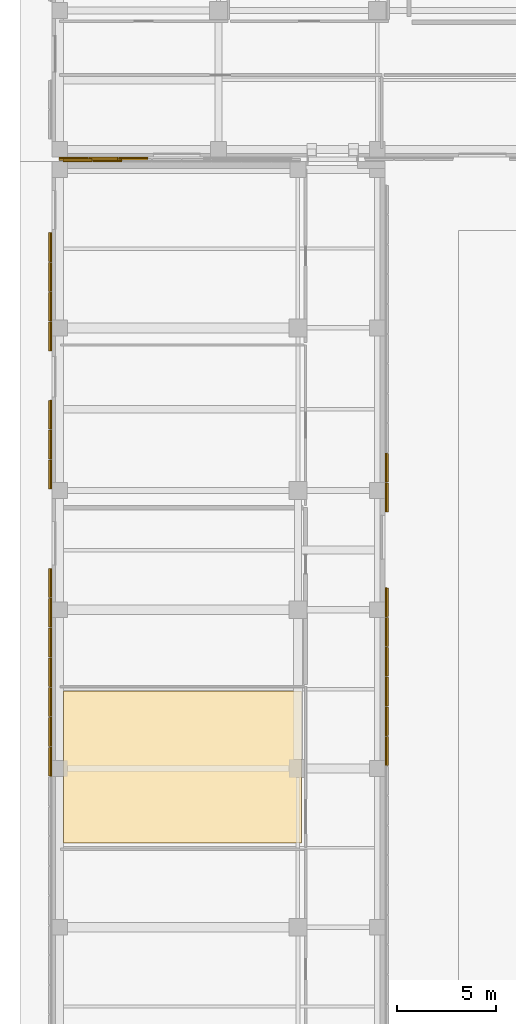
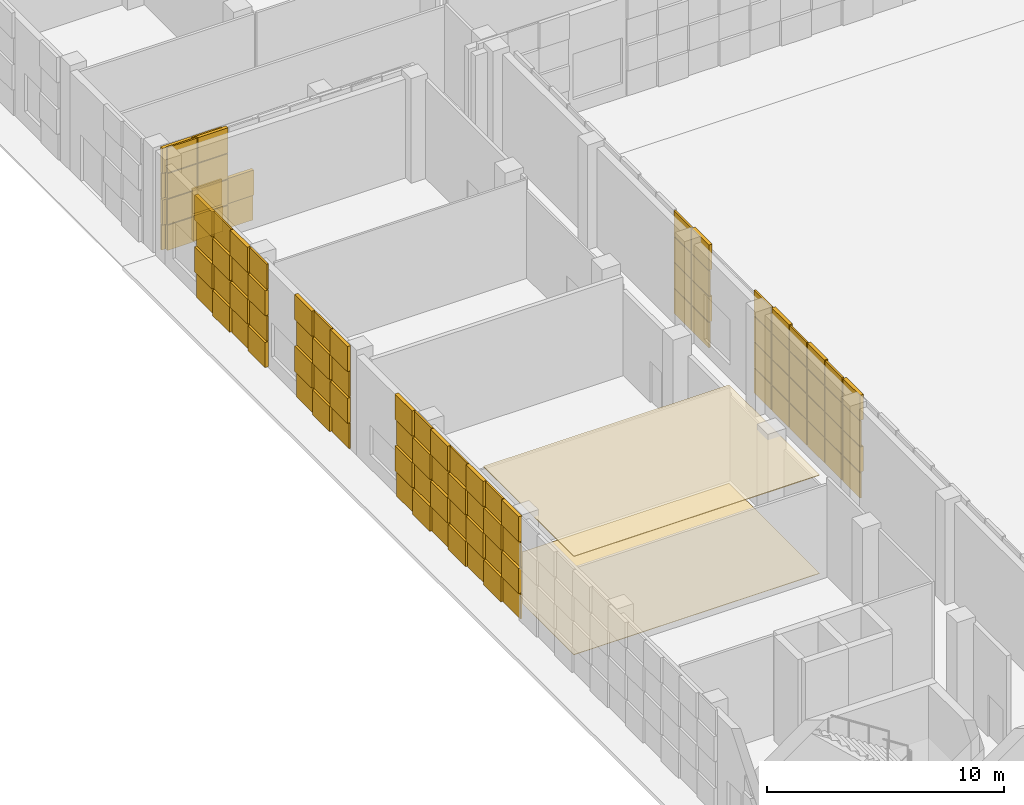
# One storey, part 32 of 40: 108 coverings.
"""IFC4 building model written with IfcOpenShell, lengths in metres."""

from ifc_helpers import new_model, si_unit, direction, frame, origin, origin_2d, place, context, subcontext, project, spatial, polyline, rectangle, outline, extrude, material, layer, layer_set, type_object, element, save


model = new_model("IFC4")

# Units and contexts
model_context = context("Model", 3, precision=1e-05, world=origin(), true_north=direction((0.0, 1.0)))
body_context = subcontext(model_context, "Body", "Model", "MODEL_VIEW")
ifc_project = project(units=[si_unit("LENGTHUNIT", "METRE"), si_unit("AREAUNIT", "SQUARE_METRE"), si_unit("VOLUMEUNIT", "CUBIC_METRE"), si_unit("PLANEANGLEUNIT", "RADIAN"), si_unit("MASSUNIT", "GRAM", prefix="KILO")], contexts=[model_context])

# Site, building, storey
site_placement = place(None, origin())
site = spatial("IfcSite", under=ifc_project, at=site_placement, CompositionType="ELEMENT")
building_placement = place(site_placement, origin())
building = spatial("IfcBuilding", under=site, at=building_placement, Name="Qalavern Law Courts", CompositionType="ELEMENT")
storey_placement = place(building_placement, origin())
storey = spatial("IfcBuildingStorey", under=building, at=storey_placement, Name="L00", CompositionType="ELEMENT", Elevation=0.0)

# Coverings
ifc_material_1 = material(Name="Precast concrete C40/50", Category="concrete")
ifc_layer_1 = layer(ifc_material_1, 0.06005859375)
ifc_layer_set_1 = layer_set([ifc_layer_1], Name="Precast concrete C40/50")
covering_type_1 = type_object("IfcCoveringType", Name="ENV-CLD-1", PredefinedType="CLADDING", material=ifc_layer_set_1)
for number, where, z_axis, x_axis, name in (
    (1, (18.837890625, 66.280029296875, 2.719970703125), (0.0, 0.0, 1.0), (0.0, 1.0, 0.0), "Cast drop-relief street-base tile 0567"),
    (2, (18.837890625, 67.780029296875, 1.385009765625), (0.0, 0.0, 1.0), (0.0, 1.0, 0.0), "Cast drop-relief street-base tile 0570"),
    (3, (18.837890625, 69.280029296875, 0.050048828125), (0.0, 0.0, 1.0), (0.0, 1.0, 0.0), "Cast drop-relief street-base tile 0573"),
):
    element("IfcCovering", number, at=place(storey_placement, frame(where, z_axis=z_axis, x_axis=x_axis)), inside=storey, type_object=covering_type_1, Name=name, PredefinedType="CLADDING", context=body_context, shape_type="SweptSolid", body=[
        extrude(rectangle(XDim=1.449951171875, YDim=0.083984375, at=origin_2d()), origin(), (0.0, 0.0, 1.0), 1.294921875),
    ])
for number, where, z_axis, x_axis, name in (
    (4, (18.8798828125, 69.280029296875, 4.054931640625), (0.0, 0.0, 1.0), (0.0, 1.0, 0.0), "Cast drop-relief street-base tile 0576"),
    (5, (18.8798828125, 70.780029296875, 2.719970703125), (0.0, 0.0, 1.0), (0.0, 1.0, 0.0), "Cast drop-relief street-base tile 0579"),
    (6, (18.8798828125, 72.280029296875, 1.385009765625), (0.0, 0.0, 1.0), (0.0, 1.0, 0.0), "Cast drop-relief street-base tile 0582"),
    (7, (18.8798828125, 73.780029296875, 0.050048828125), (0.0, 0.0, 1.0), (0.0, 1.0, 0.0), "Cast drop-relief street-base tile 0585"),
):
    element("IfcCovering", number, at=place(storey_placement, frame(where, z_axis=z_axis, x_axis=x_axis)), inside=storey, type_object=covering_type_1, Name=name, PredefinedType="CLADDING", context=body_context, shape_type="SweptSolid", body=[
        extrude(rectangle(XDim=1.449951171875, YDim=0.16796875, at=origin_2d()), origin(), (0.0, 0.0, 1.0), 1.294921875),
    ])
covering_1_placement = place(storey_placement, frame((18.837890625, 73.780029296875, 4.054931640625), z_axis=(0.0, 0.0, 1.0), x_axis=(0.0, 1.0, 0.0)))
element("IfcCovering", 8, at=covering_1_placement, inside=storey, type_object=covering_type_1, Name="Cast drop-relief street-base tile 0588", PredefinedType="CLADDING", context=body_context, shape_type="SweptSolid", body=[
    extrude(rectangle(XDim=1.449951171875, YDim=0.083984375, at=origin_2d()), origin(), (0.0, 0.0, 1.0), 1.294921875),
])
for number, where, z_axis, x_axis, name in (
    (9, (18.8798828125, 79.054931640625, 1.385009765625), (0.0, 0.0, 1.0), (0.0, 1.0, 0.0), "Cast drop-relief street-base tile 0590"),
    (10, (18.8798828125, 80.554931640625, 0.050048828125), (0.0, 0.0, 1.0), (0.0, 1.0, 0.0), "Cast drop-relief street-base tile 0593"),
):
    element("IfcCovering", number, at=place(storey_placement, frame(where, z_axis=z_axis, x_axis=x_axis)), inside=storey, type_object=covering_type_1, Name=name, PredefinedType="CLADDING", context=body_context, shape_type="SweptSolid", body=[
        extrude(rectangle(XDim=1.449951171875, YDim=0.16796875, at=origin_2d()), origin(), (0.0, 0.0, 1.0), 1.294921875),
    ])
covering_2_placement = place(storey_placement, frame((18.837890625, 80.554931640625, 4.054931640625), z_axis=(0.0, 0.0, 1.0), x_axis=(0.0, 1.0, 0.0)))
element("IfcCovering", 11, at=covering_2_placement, inside=storey, type_object=covering_type_1, Name="Cast drop-relief street-base tile 0596", PredefinedType="CLADDING", context=body_context, shape_type="SweptSolid", body=[
    extrude(rectangle(XDim=1.449951171875, YDim=0.083984375, at=origin_2d()), origin(), (0.0, 0.0, 1.0), 1.294921875),
])
for number, where, z_axis, x_axis, name in (
    (12, (4.800048828125, 96.06005859375, 1.385009765625), (0.0, 0.0, 1.0), (-1.0, 0.0, 0.0), "Cast drop-relief street-base tile 0658"),
    (13, (3.300048828125, 96.06005859375, 0.050048828125), (0.0, 0.0, 1.0), (-1.0, 0.0, 0.0), "Cast drop-relief street-base tile 0661"),
):
    element("IfcCovering", number, at=place(storey_placement, frame(where, z_axis=z_axis, x_axis=x_axis)), inside=storey, type_object=covering_type_1, Name=name, PredefinedType="CLADDING", context=body_context, shape_type="SweptSolid", body=[
        extrude(rectangle(XDim=1.449951171875, YDim=0.16796875, at=origin_2d()), origin(), (0.0, 0.0, 1.0), 1.294921875),
    ])
covering_3_placement = place(storey_placement, frame((3.300048828125, 96.01806640625, 4.054931640625), z_axis=(0.0, 0.0, 1.0), x_axis=(-1.0, 0.0, 0.0)))
element("IfcCovering", 14, at=covering_3_placement, inside=storey, type_object=covering_type_1, Name="Cast drop-relief street-base tile 0664", PredefinedType="CLADDING", context=body_context, shape_type="SweptSolid", body=[
    extrude(rectangle(XDim=1.449951171875, YDim=0.083984375, at=origin_2d()), origin(), (0.0, 0.0, 1.0), 1.294921875),
])
for number, where, z_axis, x_axis, name in (
    (15, (1.919921875, 91.669921875, 1.385009765625), (0.0, 0.0, 1.0), (0.0, -1.0, 0.0), "Cast drop-relief street-base tile 0666"),
    (16, (1.919921875, 90.169921875, 0.050048828125), (0.0, 0.0, 1.0), (0.0, -1.0, 0.0), "Cast drop-relief street-base tile 0669"),
):
    element("IfcCovering", number, at=place(storey_placement, frame(where, z_axis=z_axis, x_axis=x_axis)), inside=storey, type_object=covering_type_1, Name=name, PredefinedType="CLADDING", context=body_context, shape_type="SweptSolid", body=[
        extrude(rectangle(XDim=1.449951171875, YDim=0.16796875, at=origin_2d()), origin(), (0.0, 0.0, 1.0), 1.294921875),
    ])
for number, where, z_axis, x_axis, name in (
    (17, (1.9619140625, 90.169921875, 4.054931640625), (0.0, 0.0, 1.0), (0.0, -1.0, 0.0), "Cast drop-relief street-base tile 0672"),
    (18, (1.9619140625, 88.669921875, 2.719970703125), (0.0, 0.0, 1.0), (0.0, -1.0, 0.0), "Cast drop-relief street-base tile 0675"),
    (19, (1.9619140625, 87.169921875, 1.385009765625), (0.0, 0.0, 1.0), (0.0, -1.0, 0.0), "Cast drop-relief street-base tile 0678"),
):
    element("IfcCovering", number, at=place(storey_placement, frame(where, z_axis=z_axis, x_axis=x_axis)), inside=storey, type_object=covering_type_1, Name=name, PredefinedType="CLADDING", context=body_context, shape_type="SweptSolid", body=[
        extrude(rectangle(XDim=1.449951171875, YDim=0.083984375, at=origin_2d()), origin(), (0.0, 0.0, 1.0), 1.294921875),
    ])
for number, where, z_axis, x_axis, name in (
    (20, (1.919921875, 83.219970703125, 1.385009765625), (0.0, 0.0, 1.0), (0.0, -1.0, 0.0), "Cast drop-relief street-base tile 0682"),
    (21, (1.919921875, 81.719970703125, 0.050048828125), (0.0, 0.0, 1.0), (0.0, -1.0, 0.0), "Cast drop-relief street-base tile 0685"),
):
    element("IfcCovering", number, at=place(storey_placement, frame(where, z_axis=z_axis, x_axis=x_axis)), inside=storey, type_object=covering_type_1, Name=name, PredefinedType="CLADDING", context=body_context, shape_type="SweptSolid", body=[
        extrude(rectangle(XDim=1.449951171875, YDim=0.16796875, at=origin_2d()), origin(), (0.0, 0.0, 1.0), 1.294921875),
    ])
for number, where, z_axis, x_axis, name in (
    (22, (1.9619140625, 81.719970703125, 4.054931640625), (0.0, 0.0, 1.0), (0.0, -1.0, 0.0), "Cast drop-relief street-base tile 0688"),
    (23, (1.9619140625, 80.219970703125, 2.719970703125), (0.0, 0.0, 1.0), (0.0, -1.0, 0.0), "Cast drop-relief street-base tile 0691"),
):
    element("IfcCovering", number, at=place(storey_placement, frame(where, z_axis=z_axis, x_axis=x_axis)), inside=storey, type_object=covering_type_1, Name=name, PredefinedType="CLADDING", context=body_context, shape_type="SweptSolid", body=[
        extrude(rectangle(XDim=1.449951171875, YDim=0.083984375, at=origin_2d()), origin(), (0.0, 0.0, 1.0), 1.294921875),
    ])
for number, where, z_axis, x_axis, name in (
    (24, (1.919921875, 74.7451171875, 1.385009765625), (0.0, 0.0, 1.0), (0.0, -1.0, 0.0), "Cast drop-relief street-base tile 0694"),
    (25, (1.919921875, 73.2451171875, 0.050048828125), (0.0, 0.0, 1.0), (0.0, -1.0, 0.0), "Cast drop-relief street-base tile 0697"),
):
    element("IfcCovering", number, at=place(storey_placement, frame(where, z_axis=z_axis, x_axis=x_axis)), inside=storey, type_object=covering_type_1, Name=name, PredefinedType="CLADDING", context=body_context, shape_type="SweptSolid", body=[
        extrude(rectangle(XDim=1.449951171875, YDim=0.16796875, at=origin_2d()), origin(), (0.0, 0.0, 1.0), 1.294921875),
    ])
for number, where, z_axis, x_axis, name in (
    (26, (1.9619140625, 73.2451171875, 4.054931640625), (0.0, 0.0, 1.0), (0.0, -1.0, 0.0), "Cast drop-relief street-base tile 0700"),
    (27, (1.9619140625, 71.7451171875, 2.719970703125), (0.0, 0.0, 1.0), (0.0, -1.0, 0.0), "Cast drop-relief street-base tile 0703"),
    (28, (1.9619140625, 70.2451171875, 1.385009765625), (0.0, 0.0, 1.0), (0.0, -1.0, 0.0), "Cast drop-relief street-base tile 0706"),
    (29, (1.9619140625, 68.7451171875, 0.050048828125), (0.0, 0.0, 1.0), (0.0, -1.0, 0.0), "Cast drop-relief street-base tile 0709"),
):
    element("IfcCovering", number, at=place(storey_placement, frame(where, z_axis=z_axis, x_axis=x_axis)), inside=storey, type_object=covering_type_1, Name=name, PredefinedType="CLADDING", context=body_context, shape_type="SweptSolid", body=[
        extrude(rectangle(XDim=1.449951171875, YDim=0.083984375, at=origin_2d()), origin(), (0.0, 0.0, 1.0), 1.294921875),
    ])
for number, where, z_axis, x_axis, name in (
    (30, (1.919921875, 68.7451171875, 4.054931640625), (0.0, 0.0, 1.0), (0.0, -1.0, 0.0), "Cast drop-relief street-base tile 0712"),
    (31, (1.919921875, 67.2451171875, 2.719970703125), (0.0, 0.0, 1.0), (0.0, -1.0, 0.0), "Cast drop-relief street-base tile 0715"),
    (32, (1.919921875, 65.7451171875, 1.385009765625), (0.0, 0.0, 1.0), (0.0, -1.0, 0.0), "Cast drop-relief street-base tile 0718"),
    (33, (3.10009765625, 96.1201171875, 1.385009765625), (0.0, 0.0, 1.0), (1.0, 0.0, 0.0), "Cast drop-relief street-base tile 1070"),
    (34, (4.60009765625, 96.1201171875, 0.050048828125), (0.0, 0.0, 1.0), (1.0, 0.0, 0.0), "Cast drop-relief street-base tile 1073"),
):
    element("IfcCovering", number, at=place(storey_placement, frame(where, z_axis=z_axis, x_axis=x_axis)), inside=storey, type_object=covering_type_1, Name=name, PredefinedType="CLADDING", context=body_context, shape_type="SweptSolid", body=[
        extrude(rectangle(XDim=1.449951171875, YDim=0.16796875, at=origin_2d()), origin(), (0.0, 0.0, 1.0), 1.294921875),
    ])
covering_4_placement = place(storey_placement, frame((4.60009765625, 96.162109375, 4.054931640625), z_axis=(0.0, 0.0, 1.0), x_axis=(1.0, 0.0, 0.0)))
element("IfcCovering", 35, at=covering_4_placement, inside=storey, type_object=covering_type_1, Name="Cast drop-relief street-base tile 1076", PredefinedType="CLADDING", context=body_context, shape_type="SweptSolid", body=[
    extrude(rectangle(XDim=1.449951171875, YDim=0.083984375, at=origin_2d()), origin(), (0.0, 0.0, 1.0), 1.294921875),
])
ifc_layer_2 = layer(ifc_material_1, 0.072021484375)
ifc_layer_set_2 = layer_set([ifc_layer_2], Name="Precast concrete C40/50")
covering_type_2 = type_object("IfcCoveringType", Name="ENV-CLD-2", PredefinedType="CLADDING", material=ifc_layer_set_2)
covering_5_placement = place(storey_placement, frame((18.837890625, 66.280029296875, 0.050048828125), z_axis=(0.0, 0.0, 1.0), x_axis=(0.0, 1.0, 0.0)))
element("IfcCovering", 36, at=covering_5_placement, inside=storey, type_object=covering_type_2, Name="Cast drop-relief street-base tile 0565", PredefinedType="CLADDING", context=body_context, shape_type="SweptSolid", body=[
    extrude(rectangle(XDim=1.449951171875, YDim=0.083984375, at=origin_2d()), origin(), (0.0, 0.0, 1.0), 1.294921875),
])
for number, where, z_axis, x_axis, name in (
    (37, (18.8798828125, 66.280029296875, 4.054931640625), (0.0, 0.0, 1.0), (0.0, 1.0, 0.0), "Cast drop-relief street-base tile 0568"),
    (38, (18.8798828125, 67.780029296875, 2.719970703125), (0.0, 0.0, 1.0), (0.0, 1.0, 0.0), "Cast drop-relief street-base tile 0571"),
    (39, (18.8798828125, 69.280029296875, 1.385009765625), (0.0, 0.0, 1.0), (0.0, 1.0, 0.0), "Cast drop-relief street-base tile 0574"),
    (40, (18.8798828125, 70.780029296875, 0.050048828125), (0.0, 0.0, 1.0), (0.0, 1.0, 0.0), "Cast drop-relief street-base tile 0577"),
):
    element("IfcCovering", number, at=place(storey_placement, frame(where, z_axis=z_axis, x_axis=x_axis)), inside=storey, type_object=covering_type_2, Name=name, PredefinedType="CLADDING", context=body_context, shape_type="SweptSolid", body=[
        extrude(rectangle(XDim=1.449951171875, YDim=0.16796875, at=origin_2d()), origin(), (0.0, 0.0, 1.0), 1.294921875),
    ])
for number, where, z_axis, x_axis, name in (
    (41, (18.837890625, 70.780029296875, 4.054931640625), (0.0, 0.0, 1.0), (0.0, 1.0, 0.0), "Cast drop-relief street-base tile 0580"),
    (42, (18.837890625, 72.280029296875, 2.719970703125), (0.0, 0.0, 1.0), (0.0, 1.0, 0.0), "Cast drop-relief street-base tile 0583"),
    (43, (18.837890625, 73.780029296875, 1.385009765625), (0.0, 0.0, 1.0), (0.0, 1.0, 0.0), "Cast drop-relief street-base tile 0586"),
    (44, (18.837890625, 79.054931640625, 2.719970703125), (0.0, 0.0, 1.0), (0.0, 1.0, 0.0), "Cast drop-relief street-base tile 0591"),
    (45, (18.837890625, 80.554931640625, 1.385009765625), (0.0, 0.0, 1.0), (0.0, 1.0, 0.0), "Cast drop-relief street-base tile 0594"),
    (46, (4.800048828125, 96.01806640625, 2.719970703125), (0.0, 0.0, 1.0), (-1.0, 0.0, 0.0), "Cast drop-relief street-base tile 0659"),
    (47, (3.300048828125, 96.01806640625, 1.385009765625), (0.0, 0.0, 1.0), (-1.0, 0.0, 0.0), "Cast drop-relief street-base tile 0662"),
    (48, (1.9619140625, 91.669921875, 2.719970703125), (0.0, 0.0, 1.0), (0.0, -1.0, 0.0), "Cast drop-relief street-base tile 0667"),
    (49, (1.9619140625, 90.169921875, 1.385009765625), (0.0, 0.0, 1.0), (0.0, -1.0, 0.0), "Cast drop-relief street-base tile 0670"),
    (50, (1.9619140625, 88.669921875, 0.050048828125), (0.0, 0.0, 1.0), (0.0, -1.0, 0.0), "Cast drop-relief street-base tile 0673"),
):
    element("IfcCovering", number, at=place(storey_placement, frame(where, z_axis=z_axis, x_axis=x_axis)), inside=storey, type_object=covering_type_2, Name=name, PredefinedType="CLADDING", context=body_context, shape_type="SweptSolid", body=[
        extrude(rectangle(XDim=1.449951171875, YDim=0.083984375, at=origin_2d()), origin(), (0.0, 0.0, 1.0), 1.294921875),
    ])
for number, where, z_axis, x_axis, name in (
    (51, (1.919921875, 88.669921875, 4.054931640625), (0.0, 0.0, 1.0), (0.0, -1.0, 0.0), "Cast drop-relief street-base tile 0676"),
    (52, (1.919921875, 87.169921875, 2.719970703125), (0.0, 0.0, 1.0), (0.0, -1.0, 0.0), "Cast drop-relief street-base tile 0679"),
):
    element("IfcCovering", number, at=place(storey_placement, frame(where, z_axis=z_axis, x_axis=x_axis)), inside=storey, type_object=covering_type_2, Name=name, PredefinedType="CLADDING", context=body_context, shape_type="SweptSolid", body=[
        extrude(rectangle(XDim=1.449951171875, YDim=0.16796875, at=origin_2d()), origin(), (0.0, 0.0, 1.0), 1.294921875),
    ])
for number, where, z_axis, x_axis, name in (
    (53, (1.9619140625, 83.219970703125, 2.719970703125), (0.0, 0.0, 1.0), (0.0, -1.0, 0.0), "Cast drop-relief street-base tile 0683"),
    (54, (1.9619140625, 81.719970703125, 1.385009765625), (0.0, 0.0, 1.0), (0.0, -1.0, 0.0), "Cast drop-relief street-base tile 0686"),
    (55, (1.9619140625, 80.219970703125, 0.050048828125), (0.0, 0.0, 1.0), (0.0, -1.0, 0.0), "Cast drop-relief street-base tile 0689"),
):
    element("IfcCovering", number, at=place(storey_placement, frame(where, z_axis=z_axis, x_axis=x_axis)), inside=storey, type_object=covering_type_2, Name=name, PredefinedType="CLADDING", context=body_context, shape_type="SweptSolid", body=[
        extrude(rectangle(XDim=1.449951171875, YDim=0.083984375, at=origin_2d()), origin(), (0.0, 0.0, 1.0), 1.294921875),
    ])
covering_6_placement = place(storey_placement, frame((1.919921875, 80.219970703125, 4.054931640625), z_axis=(0.0, 0.0, 1.0), x_axis=(0.0, -1.0, 0.0)))
element("IfcCovering", 56, at=covering_6_placement, inside=storey, type_object=covering_type_2, Name="Cast drop-relief street-base tile 0692", PredefinedType="CLADDING", context=body_context, shape_type="SweptSolid", body=[
    extrude(rectangle(XDim=1.449951171875, YDim=0.16796875, at=origin_2d()), origin(), (0.0, 0.0, 1.0), 1.294921875),
])
for number, where, z_axis, x_axis, name in (
    (57, (1.9619140625, 74.7451171875, 2.719970703125), (0.0, 0.0, 1.0), (0.0, -1.0, 0.0), "Cast drop-relief street-base tile 0695"),
    (58, (1.9619140625, 73.2451171875, 1.385009765625), (0.0, 0.0, 1.0), (0.0, -1.0, 0.0), "Cast drop-relief street-base tile 0698"),
    (59, (1.9619140625, 71.7451171875, 0.050048828125), (0.0, 0.0, 1.0), (0.0, -1.0, 0.0), "Cast drop-relief street-base tile 0701"),
):
    element("IfcCovering", number, at=place(storey_placement, frame(where, z_axis=z_axis, x_axis=x_axis)), inside=storey, type_object=covering_type_2, Name=name, PredefinedType="CLADDING", context=body_context, shape_type="SweptSolid", body=[
        extrude(rectangle(XDim=1.449951171875, YDim=0.083984375, at=origin_2d()), origin(), (0.0, 0.0, 1.0), 1.294921875),
    ])
for number, where, z_axis, x_axis, name in (
    (60, (1.919921875, 71.7451171875, 4.054931640625), (0.0, 0.0, 1.0), (0.0, -1.0, 0.0), "Cast drop-relief street-base tile 0704"),
    (61, (1.919921875, 70.2451171875, 2.719970703125), (0.0, 0.0, 1.0), (0.0, -1.0, 0.0), "Cast drop-relief street-base tile 0707"),
    (62, (1.919921875, 68.7451171875, 1.385009765625), (0.0, 0.0, 1.0), (0.0, -1.0, 0.0), "Cast drop-relief street-base tile 0710"),
    (63, (1.919921875, 67.2451171875, 0.050048828125), (0.0, 0.0, 1.0), (0.0, -1.0, 0.0), "Cast drop-relief street-base tile 0713"),
):
    element("IfcCovering", number, at=place(storey_placement, frame(where, z_axis=z_axis, x_axis=x_axis)), inside=storey, type_object=covering_type_2, Name=name, PredefinedType="CLADDING", context=body_context, shape_type="SweptSolid", body=[
        extrude(rectangle(XDim=1.449951171875, YDim=0.16796875, at=origin_2d()), origin(), (0.0, 0.0, 1.0), 1.294921875),
    ])
for number, where, z_axis, x_axis, name in (
    (64, (1.9619140625, 67.2451171875, 4.054931640625), (0.0, 0.0, 1.0), (0.0, -1.0, 0.0), "Cast drop-relief street-base tile 0716"),
    (65, (1.9619140625, 65.7451171875, 2.719970703125), (0.0, 0.0, 1.0), (0.0, -1.0, 0.0), "Cast drop-relief street-base tile 0719"),
    (66, (3.10009765625, 96.162109375, 2.719970703125), (0.0, 0.0, 1.0), (1.0, 0.0, 0.0), "Cast drop-relief street-base tile 1071"),
    (67, (4.60009765625, 96.162109375, 1.385009765625), (0.0, 0.0, 1.0), (1.0, 0.0, 0.0), "Cast drop-relief street-base tile 1074"),
    (68, (6.10009765625, 96.162109375, 0.050048828125), (0.0, 0.0, 1.0), (1.0, 0.0, 0.0), "Cast drop-relief street-base tile 1077"),
):
    element("IfcCovering", number, at=place(storey_placement, frame(where, z_axis=z_axis, x_axis=x_axis)), inside=storey, type_object=covering_type_2, Name=name, PredefinedType="CLADDING", context=body_context, shape_type="SweptSolid", body=[
        extrude(rectangle(XDim=1.449951171875, YDim=0.083984375, at=origin_2d()), origin(), (0.0, 0.0, 1.0), 1.294921875),
    ])
ifc_layer_3 = layer(ifc_material_1, 0.083984375)
ifc_layer_set_3 = layer_set([ifc_layer_3], Name="Precast concrete C40/50")
covering_type_3 = type_object("IfcCoveringType", Name="ENV-CLD-3", PredefinedType="CLADDING", material=ifc_layer_set_3)
for number, where, z_axis, x_axis, name in (
    (69, (18.8798828125, 66.280029296875, 1.385009765625), (0.0, 0.0, 1.0), (0.0, 1.0, 0.0), "Cast drop-relief street-base tile 0566"),
    (70, (18.8798828125, 67.780029296875, 0.050048828125), (0.0, 0.0, 1.0), (0.0, 1.0, 0.0), "Cast drop-relief street-base tile 0569"),
):
    element("IfcCovering", number, at=place(storey_placement, frame(where, z_axis=z_axis, x_axis=x_axis)), inside=storey, type_object=covering_type_3, Name=name, PredefinedType="CLADDING", context=body_context, shape_type="SweptSolid", body=[
        extrude(rectangle(XDim=1.449951171875, YDim=0.16796875, at=origin_2d()), origin(), (0.0, 0.0, 1.0), 1.294921875),
    ])
for number, where, z_axis, x_axis, name in (
    (71, (18.837890625, 67.780029296875, 4.054931640625), (0.0, 0.0, 1.0), (0.0, 1.0, 0.0), "Cast drop-relief street-base tile 0572"),
    (72, (18.837890625, 69.280029296875, 2.719970703125), (0.0, 0.0, 1.0), (0.0, 1.0, 0.0), "Cast drop-relief street-base tile 0575"),
    (73, (18.837890625, 70.780029296875, 1.385009765625), (0.0, 0.0, 1.0), (0.0, 1.0, 0.0), "Cast drop-relief street-base tile 0578"),
    (74, (18.837890625, 72.280029296875, 0.050048828125), (0.0, 0.0, 1.0), (0.0, 1.0, 0.0), "Cast drop-relief street-base tile 0581"),
):
    element("IfcCovering", number, at=place(storey_placement, frame(where, z_axis=z_axis, x_axis=x_axis)), inside=storey, type_object=covering_type_3, Name=name, PredefinedType="CLADDING", context=body_context, shape_type="SweptSolid", body=[
        extrude(rectangle(XDim=1.449951171875, YDim=0.083984375, at=origin_2d()), origin(), (0.0, 0.0, 1.0), 1.294921875),
    ])
for number, where, z_axis, x_axis, name in (
    (75, (18.8798828125, 72.280029296875, 4.054931640625), (0.0, 0.0, 1.0), (0.0, 1.0, 0.0), "Cast drop-relief street-base tile 0584"),
    (76, (18.8798828125, 73.780029296875, 2.719970703125), (0.0, 0.0, 1.0), (0.0, 1.0, 0.0), "Cast drop-relief street-base tile 0587"),
):
    element("IfcCovering", number, at=place(storey_placement, frame(where, z_axis=z_axis, x_axis=x_axis)), inside=storey, type_object=covering_type_3, Name=name, PredefinedType="CLADDING", context=body_context, shape_type="SweptSolid", body=[
        extrude(rectangle(XDim=1.449951171875, YDim=0.16796875, at=origin_2d()), origin(), (0.0, 0.0, 1.0), 1.294921875),
    ])
covering_7_placement = place(storey_placement, frame((18.837890625, 79.054931640625, 0.050048828125), z_axis=(0.0, 0.0, 1.0), x_axis=(0.0, 1.0, 0.0)))
element("IfcCovering", 77, at=covering_7_placement, inside=storey, type_object=covering_type_3, Name="Cast drop-relief street-base tile 0589", PredefinedType="CLADDING", context=body_context, shape_type="SweptSolid", body=[
    extrude(rectangle(XDim=1.449951171875, YDim=0.083984375, at=origin_2d()), origin(), (0.0, 0.0, 1.0), 1.294921875),
])
for number, where, z_axis, x_axis, name in (
    (78, (18.8798828125, 79.054931640625, 4.054931640625), (0.0, 0.0, 1.0), (0.0, 1.0, 0.0), "Cast drop-relief street-base tile 0592"),
    (79, (18.8798828125, 80.554931640625, 2.719970703125), (0.0, 0.0, 1.0), (0.0, 1.0, 0.0), "Cast drop-relief street-base tile 0595"),
):
    element("IfcCovering", number, at=place(storey_placement, frame(where, z_axis=z_axis, x_axis=x_axis)), inside=storey, type_object=covering_type_3, Name=name, PredefinedType="CLADDING", context=body_context, shape_type="SweptSolid", body=[
        extrude(rectangle(XDim=1.449951171875, YDim=0.16796875, at=origin_2d()), origin(), (0.0, 0.0, 1.0), 1.294921875),
    ])
covering_8_placement = place(storey_placement, frame((4.800048828125, 96.01806640625, 0.050048828125), z_axis=(0.0, 0.0, 1.0), x_axis=(-1.0, 0.0, 0.0)))
element("IfcCovering", 80, at=covering_8_placement, inside=storey, type_object=covering_type_3, Name="Cast drop-relief street-base tile 0657", PredefinedType="CLADDING", context=body_context, shape_type="SweptSolid", body=[
    extrude(rectangle(XDim=1.449951171875, YDim=0.083984375, at=origin_2d()), origin(), (0.0, 0.0, 1.0), 1.294921875),
])
for number, where, z_axis, x_axis, name in (
    (81, (4.800048828125, 96.06005859375, 4.054931640625), (0.0, 0.0, 1.0), (-1.0, 0.0, 0.0), "Cast drop-relief street-base tile 0660"),
    (82, (3.300048828125, 96.06005859375, 2.719970703125), (0.0, 0.0, 1.0), (-1.0, 0.0, 0.0), "Cast drop-relief street-base tile 0663"),
):
    element("IfcCovering", number, at=place(storey_placement, frame(where, z_axis=z_axis, x_axis=x_axis)), inside=storey, type_object=covering_type_3, Name=name, PredefinedType="CLADDING", context=body_context, shape_type="SweptSolid", body=[
        extrude(rectangle(XDim=1.449951171875, YDim=0.16796875, at=origin_2d()), origin(), (0.0, 0.0, 1.0), 1.294921875),
    ])
covering_9_placement = place(storey_placement, frame((1.9619140625, 91.669921875, 0.050048828125), z_axis=(0.0, 0.0, 1.0), x_axis=(0.0, -1.0, 0.0)))
element("IfcCovering", 83, at=covering_9_placement, inside=storey, type_object=covering_type_3, Name="Cast drop-relief street-base tile 0665", PredefinedType="CLADDING", context=body_context, shape_type="SweptSolid", body=[
    extrude(rectangle(XDim=1.449951171875, YDim=0.083984375, at=origin_2d()), origin(), (0.0, 0.0, 1.0), 1.294921875),
])
for number, where, z_axis, x_axis, name in (
    (84, (1.919921875, 91.669921875, 4.054931640625), (0.0, 0.0, 1.0), (0.0, -1.0, 0.0), "Cast drop-relief street-base tile 0668"),
    (85, (1.919921875, 90.169921875, 2.719970703125), (0.0, 0.0, 1.0), (0.0, -1.0, 0.0), "Cast drop-relief street-base tile 0671"),
    (86, (1.919921875, 88.669921875, 1.385009765625), (0.0, 0.0, 1.0), (0.0, -1.0, 0.0), "Cast drop-relief street-base tile 0674"),
    (87, (1.919921875, 87.169921875, 0.050048828125), (0.0, 0.0, 1.0), (0.0, -1.0, 0.0), "Cast drop-relief street-base tile 0677"),
):
    element("IfcCovering", number, at=place(storey_placement, frame(where, z_axis=z_axis, x_axis=x_axis)), inside=storey, type_object=covering_type_3, Name=name, PredefinedType="CLADDING", context=body_context, shape_type="SweptSolid", body=[
        extrude(rectangle(XDim=1.449951171875, YDim=0.16796875, at=origin_2d()), origin(), (0.0, 0.0, 1.0), 1.294921875),
    ])
for number, where, z_axis, x_axis, name in (
    (88, (1.9619140625, 87.169921875, 4.054931640625), (0.0, 0.0, 1.0), (0.0, -1.0, 0.0), "Cast drop-relief street-base tile 0680"),
    (89, (1.9619140625, 83.219970703125, 0.050048828125), (0.0, 0.0, 1.0), (0.0, -1.0, 0.0), "Cast drop-relief street-base tile 0681"),
):
    element("IfcCovering", number, at=place(storey_placement, frame(where, z_axis=z_axis, x_axis=x_axis)), inside=storey, type_object=covering_type_3, Name=name, PredefinedType="CLADDING", context=body_context, shape_type="SweptSolid", body=[
        extrude(rectangle(XDim=1.449951171875, YDim=0.083984375, at=origin_2d()), origin(), (0.0, 0.0, 1.0), 1.294921875),
    ])
for number, where, z_axis, x_axis, name in (
    (90, (1.919921875, 83.219970703125, 4.054931640625), (0.0, 0.0, 1.0), (0.0, -1.0, 0.0), "Cast drop-relief street-base tile 0684"),
    (91, (1.919921875, 81.719970703125, 2.719970703125), (0.0, 0.0, 1.0), (0.0, -1.0, 0.0), "Cast drop-relief street-base tile 0687"),
    (92, (1.919921875, 80.219970703125, 1.385009765625), (0.0, 0.0, 1.0), (0.0, -1.0, 0.0), "Cast drop-relief street-base tile 0690"),
):
    element("IfcCovering", number, at=place(storey_placement, frame(where, z_axis=z_axis, x_axis=x_axis)), inside=storey, type_object=covering_type_3, Name=name, PredefinedType="CLADDING", context=body_context, shape_type="SweptSolid", body=[
        extrude(rectangle(XDim=1.449951171875, YDim=0.16796875, at=origin_2d()), origin(), (0.0, 0.0, 1.0), 1.294921875),
    ])
covering_10_placement = place(storey_placement, frame((1.9619140625, 74.7451171875, 0.050048828125), z_axis=(0.0, 0.0, 1.0), x_axis=(0.0, -1.0, 0.0)))
element("IfcCovering", 93, at=covering_10_placement, inside=storey, type_object=covering_type_3, Name="Cast drop-relief street-base tile 0693", PredefinedType="CLADDING", context=body_context, shape_type="SweptSolid", body=[
    extrude(rectangle(XDim=1.449951171875, YDim=0.083984375, at=origin_2d()), origin(), (0.0, 0.0, 1.0), 1.294921875),
])
for number, where, z_axis, x_axis, name in (
    (94, (1.919921875, 74.7451171875, 4.054931640625), (0.0, 0.0, 1.0), (0.0, -1.0, 0.0), "Cast drop-relief street-base tile 0696"),
    (95, (1.919921875, 73.2451171875, 2.719970703125), (0.0, 0.0, 1.0), (0.0, -1.0, 0.0), "Cast drop-relief street-base tile 0699"),
    (96, (1.919921875, 71.7451171875, 1.385009765625), (0.0, 0.0, 1.0), (0.0, -1.0, 0.0), "Cast drop-relief street-base tile 0702"),
    (97, (1.919921875, 70.2451171875, 0.050048828125), (0.0, 0.0, 1.0), (0.0, -1.0, 0.0), "Cast drop-relief street-base tile 0705"),
):
    element("IfcCovering", number, at=place(storey_placement, frame(where, z_axis=z_axis, x_axis=x_axis)), inside=storey, type_object=covering_type_3, Name=name, PredefinedType="CLADDING", context=body_context, shape_type="SweptSolid", body=[
        extrude(rectangle(XDim=1.449951171875, YDim=0.16796875, at=origin_2d()), origin(), (0.0, 0.0, 1.0), 1.294921875),
    ])
for number, where, z_axis, x_axis, name in (
    (98, (1.9619140625, 70.2451171875, 4.054931640625), (0.0, 0.0, 1.0), (0.0, -1.0, 0.0), "Cast drop-relief street-base tile 0708"),
    (99, (1.9619140625, 68.7451171875, 2.719970703125), (0.0, 0.0, 1.0), (0.0, -1.0, 0.0), "Cast drop-relief street-base tile 0711"),
    (100, (1.9619140625, 67.2451171875, 1.385009765625), (0.0, 0.0, 1.0), (0.0, -1.0, 0.0), "Cast drop-relief street-base tile 0714"),
    (101, (1.9619140625, 65.7451171875, 0.050048828125), (0.0, 0.0, 1.0), (0.0, -1.0, 0.0), "Cast drop-relief street-base tile 0717"),
):
    element("IfcCovering", number, at=place(storey_placement, frame(where, z_axis=z_axis, x_axis=x_axis)), inside=storey, type_object=covering_type_3, Name=name, PredefinedType="CLADDING", context=body_context, shape_type="SweptSolid", body=[
        extrude(rectangle(XDim=1.449951171875, YDim=0.083984375, at=origin_2d()), origin(), (0.0, 0.0, 1.0), 1.294921875),
    ])
covering_11_placement = place(storey_placement, frame((1.919921875, 65.7451171875, 4.054931640625), z_axis=(0.0, 0.0, 1.0), x_axis=(0.0, -1.0, 0.0)))
element("IfcCovering", 102, at=covering_11_placement, inside=storey, type_object=covering_type_3, Name="Cast drop-relief street-base tile 0720", PredefinedType="CLADDING", context=body_context, shape_type="SweptSolid", body=[
    extrude(rectangle(XDim=1.449951171875, YDim=0.16796875, at=origin_2d()), origin(), (0.0, 0.0, 1.0), 1.294921875),
])
covering_12_placement = place(storey_placement, frame((3.10009765625, 96.162109375, 0.050048828125), z_axis=(0.0, 0.0, 1.0), x_axis=(1.0, 0.0, 0.0)))
element("IfcCovering", 103, at=covering_12_placement, inside=storey, type_object=covering_type_3, Name="Cast drop-relief street-base tile 1069", PredefinedType="CLADDING", context=body_context, shape_type="SweptSolid", body=[
    extrude(rectangle(XDim=1.449951171875, YDim=0.083984375, at=origin_2d()), origin(), (0.0, 0.0, 1.0), 1.294921875),
])
for number, where, z_axis, x_axis, name in (
    (104, (3.10009765625, 96.1201171875, 4.054931640625), (0.0, 0.0, 1.0), (1.0, 0.0, 0.0), "Cast drop-relief street-base tile 1072"),
    (105, (4.60009765625, 96.1201171875, 2.719970703125), (0.0, 0.0, 1.0), (1.0, 0.0, 0.0), "Cast drop-relief street-base tile 1075"),
    (106, (6.10009765625, 96.1201171875, 1.385009765625), (0.0, 0.0, 1.0), (1.0, 0.0, 0.0), "Cast drop-relief street-base tile 1078"),
):
    element("IfcCovering", number, at=place(storey_placement, frame(where, z_axis=z_axis, x_axis=x_axis)), inside=storey, type_object=covering_type_3, Name=name, PredefinedType="CLADDING", context=body_context, shape_type="SweptSolid", body=[
        extrude(rectangle(XDim=1.449951171875, YDim=0.16796875, at=origin_2d()), origin(), (0.0, 0.0, 1.0), 1.294921875),
    ])
ifc_material_2 = material(Name="Perforated gypsum and mineral-wool acoustic ceiling")
ifc_layer_4 = layer(ifc_material_2, 0.0380859375)
ifc_layer_set_4 = layer_set([ifc_layer_4], Name="Perforated gypsum and mineral-wool acoustic ceiling")
covering_type_4 = type_object("IfcCoveringType", Name="INT-CEIL-1", PredefinedType="CEILING", material=ifc_layer_set_4)
covering_13_placement = place(storey_placement, frame((0.0, 0.0, 5.06201171875)))
element("IfcCovering", 107, at=covering_13_placement, inside=storey, type_object=covering_type_4, Name="Duty Magistrates' Courtroom acoustic ceiling L00", PredefinedType="CEILING", context=body_context, shape_type="SweptSolid", body=[
    extrude(outline(polyline([(2.590087890625, 61.653076171875), (14.580078125, 61.653076171875), (14.580078125, 69.30908203125), (2.590087890625, 69.30908203125), (2.590087890625, 61.653076171875)])), origin(), (0.0, 0.0, 1.0), 0.0380859375),
])
ifc_material_3 = material(Name="Acoustic engineered oak courtroom flooring")
ifc_layer_5 = layer(ifc_material_3, 0.02197265625)
ifc_layer_set_5 = layer_set([ifc_layer_5], Name="Acoustic engineered oak courtroom flooring")
covering_type_5 = type_object("IfcCoveringType", Name="INT-FLR-1", PredefinedType="FLOORING", material=ifc_layer_set_5)
covering_14_placement = place(storey_placement, origin())
element("IfcCovering", 108, at=covering_14_placement, inside=storey, type_object=covering_type_5, Name="Duty Magistrates' Courtroom finish flooring L00", PredefinedType="FLOORING", context=body_context, shape_type="SweptSolid", body=[
    extrude(outline(polyline([(2.590087890625, 61.653076171875), (14.580078125, 61.653076171875), (14.580078125, 69.30908203125), (2.590087890625, 69.30908203125), (2.590087890625, 61.653076171875)])), origin(), (0.0, 0.0, 1.0), 0.02197265625),
])

save(model, "model.ifc")
